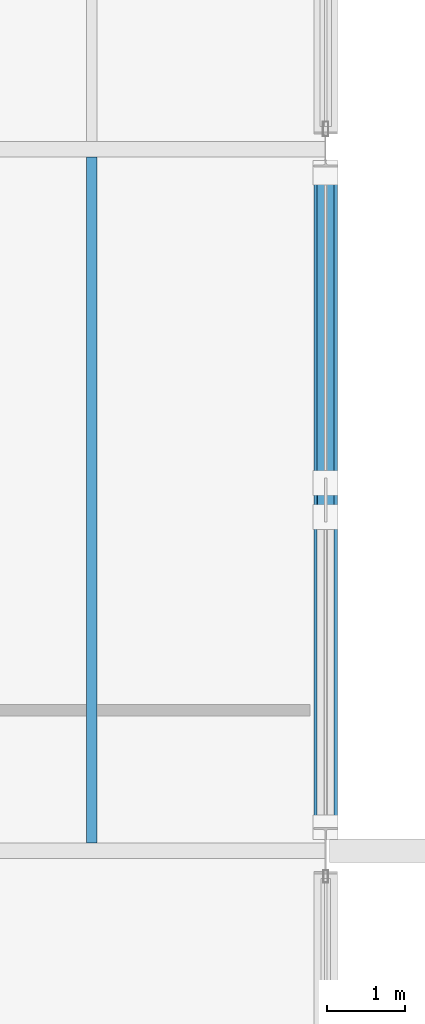
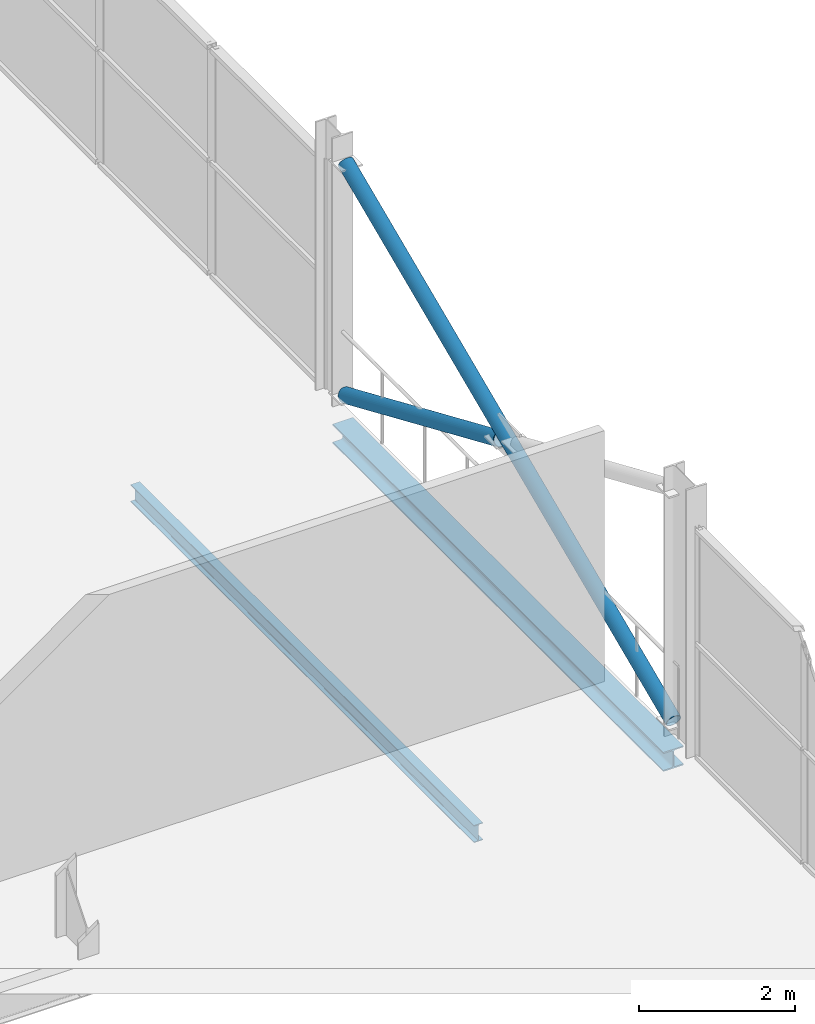
# One storey, part 64 of 103: 2 beams, 2 members.
"""IFC4 building model written with IfcOpenShell, lengths in metres."""

from ifc_helpers import new_model, si_unit, direction, frame, origin, origin_2d, place, context, subcontext, project, spatial, hollow_circle, i_section, extrude, material, material_profile, profile_set, type_object, element, save


model = new_model("IFC4")

# Units and contexts
model_context = context("Model", 3, precision=1e-05, world=origin(), true_north=direction((0.0, 1.0)))
body_context = subcontext(model_context, "Body", "Model", "MODEL_VIEW")
ifc_project = project(units=[si_unit("LENGTHUNIT", "METRE"), si_unit("AREAUNIT", "SQUARE_METRE"), si_unit("VOLUMEUNIT", "CUBIC_METRE"), si_unit("PLANEANGLEUNIT", "RADIAN"), si_unit("MASSUNIT", "GRAM", prefix="KILO")], contexts=[model_context])

# Site, building, storey
site_placement = place(None, origin())
site = spatial("IfcSite", under=ifc_project, at=site_placement, CompositionType="ELEMENT")
building_placement = place(site_placement, origin())
building = spatial("IfcBuilding", under=site, at=building_placement, Name="Deido Ridge Mobility Hub", CompositionType="ELEMENT")
storey_placement = place(building_placement, frame((0.0, 0.0, 12.60009765625)))
storey = spatial("IfcBuildingStorey", under=building, at=storey_placement, Name="L03", CompositionType="ELEMENT", Elevation=12.60009765625)

# Beam
ifc_material_1 = material(Name="Steel S355J2 EN 10025-2", Category="steel")
ifc_material_profile_1 = material_profile(ifc_material_1, i_section(OverallWidth=0.135009765625, OverallDepth=0.27001953125, WebThickness=0.006591796875, FlangeThickness=0.01025390625, FilletRadius=0.014892578125, at=origin_2d()), Name="IPE 270")
ifc_profile_set_1 = profile_set([ifc_material_profile_1], Name="Steel S355J2 EN 10025-2")
beam_type_1 = type_object("IfcBeamType", Name="JST-IPE270", PredefinedType="JOIST", material=ifc_profile_set_1)
beam_1_placement = place(storey_placement, frame((177.0, 54.10009765625, -0.400146484375), z_axis=(0.0, 1.0, 0.0), x_axis=(-1.0, 0.0, 0.0)))
element("IfcBeam", 1, at=beam_1_placement, inside=storey, type_object=beam_type_1, Name="Composite joist J4", PredefinedType="JOIST", context=body_context, shape_type="SweptSolid", body=[
    extrude(i_section(OverallWidth=0.135009765625, OverallDepth=0.27001953125, WebThickness=0.006591796875, FlangeThickness=0.01025390625, FilletRadius=0.014892578125, at=origin_2d()), origin(), (0.0, 0.0, 1.0), 8.7998046875),
])

# Members
ifc_material_2 = material(Name="Steel S355J2H EN 10210-1", Category="steel")
ifc_material_profile_2 = material_profile(ifc_material_2, hollow_circle(Radius=0.109619140625, WallThickness=0.010009765625, at=origin_2d()), Name="CHS 219.1x10")
ifc_profile_set_2 = profile_set([ifc_material_profile_2], Name="Steel S355J2H EN 10210-1")
member_type = type_object("IfcMemberType", Name="MEM-BRC-CHS219", PredefinedType="BRACE", material=ifc_profile_set_2)
member_1_placement = place(storey_placement, frame((180.0, 54.300048828125, 0.179931640625), z_axis=(0.0, 0.917558219799, 0.397601450299), x_axis=(-1.0, 0.0, 0.0)))
element("IfcMember", 2, at=member_1_placement, inside=storey, type_object=member_type, Name="Continuous X-brace diagonal BR2", PredefinedType="BRACE", context=body_context, shape_type="SweptSolid", body=[
    extrude(hollow_circle(Radius=0.109619140625, WallThickness=0.010009765625, at=origin_2d()), origin(), (0.0, 0.0, 1.0), 9.154541015625),
])
member_2_placement = place(storey_placement, frame((180.0, 62.699951171875, 0.179931640625), z_axis=(0.0, -0.917550833654, 0.397618495119), x_axis=(1.0, 0.0, 0.0)))
element("IfcMember", 3, at=member_2_placement, inside=storey, type_object=member_type, Name="Split X-brace diagonal segment BR2", PredefinedType="BRACE", context=body_context, shape_type="SweptSolid", body=[
    extrude(hollow_circle(Radius=0.109619140625, WallThickness=0.010009765625, at=origin_2d()), origin(), (0.0, 0.0, 1.0), 4.33740234375),
])

# Beam
ifc_material_profile_3 = material_profile(ifc_material_1, i_section(OverallWidth=0.300048828125, OverallDepth=0.300048828125, WebThickness=0.010986328125, FlangeThickness=0.01904296875, FilletRadius=0.027099609375, at=origin_2d()), Name="HEB 300")
ifc_profile_set_3 = profile_set([ifc_material_profile_3], Name="Steel S355J2 EN 10025-2")
beam_type_2 = type_object("IfcBeamType", Name="SPD-HEB300", PredefinedType="SPANDREL", material=ifc_profile_set_3)
beam_2_placement = place(storey_placement, frame((180.0, 54.300048828125, -0.4150390625), z_axis=(0.0, 1.0, 0.0), x_axis=(-1.0, 0.0, 0.0)))
element("IfcBeam", 4, at=beam_2_placement, inside=storey, type_object=beam_type_2, Name="Floor beam SP1", PredefinedType="SPANDREL", context=body_context, shape_type="SweptSolid", body=[
    extrude(i_section(OverallWidth=0.300048828125, OverallDepth=0.300048828125, WebThickness=0.010986328125, FlangeThickness=0.01904296875, FilletRadius=0.027099609375, at=origin_2d()), origin(), (0.0, 0.0, 1.0), 8.474853515625),
])

save(model, "model.ifc")
